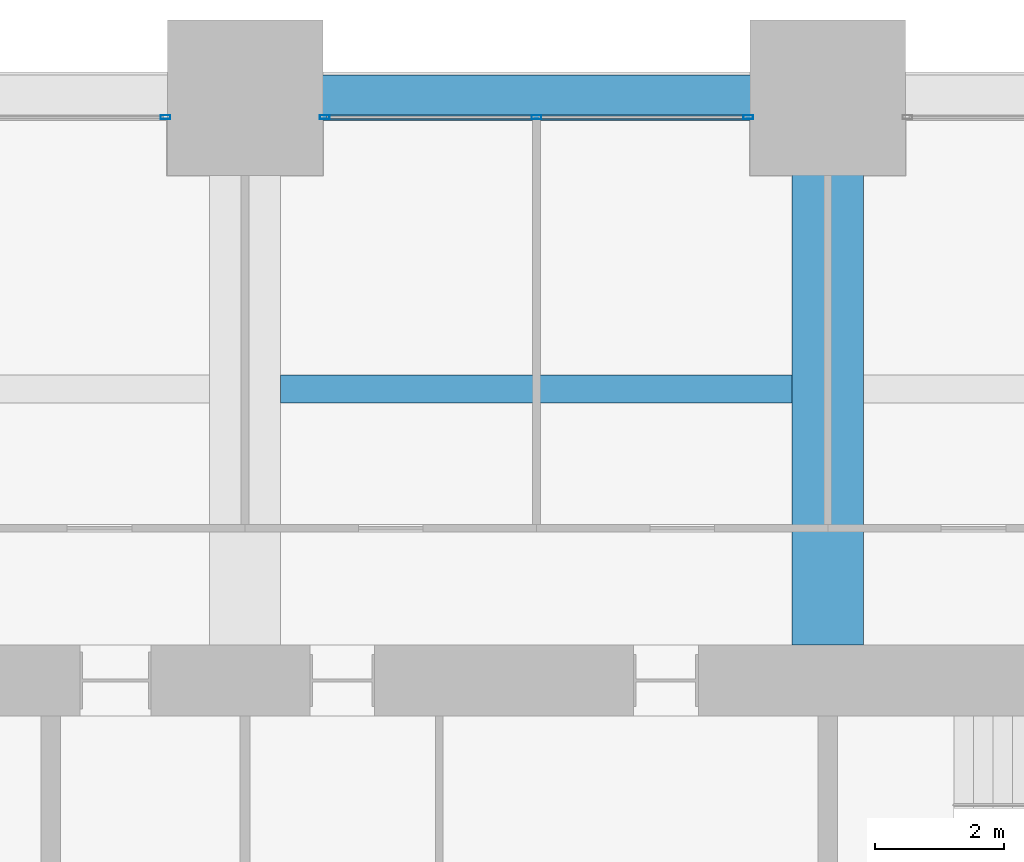
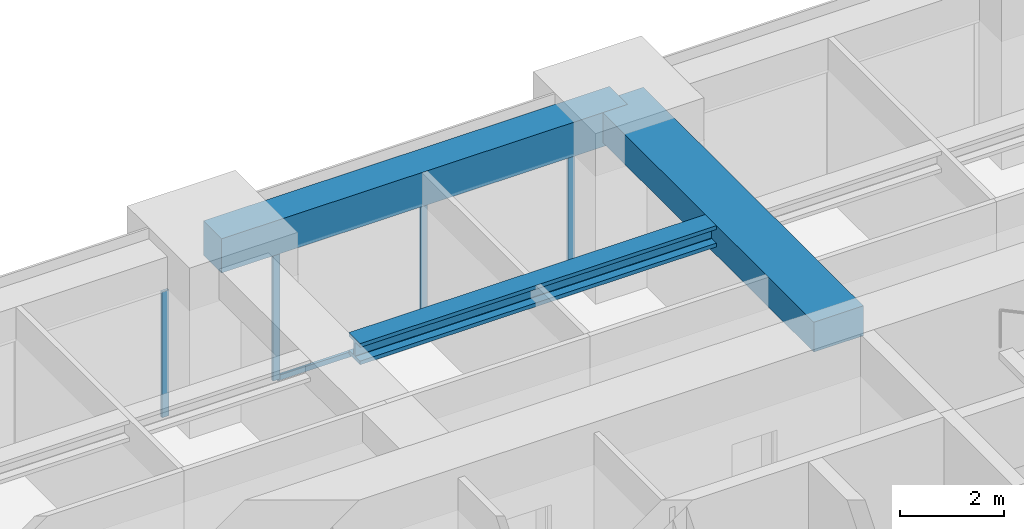
# One storey, part 29 of 40: 5 members, 3 beams, 2 elements without a shape of their own.
"""IFC4 building model written with IfcOpenShell, lengths in metres."""

from ifc_helpers import new_model, si_unit, direction, frame, origin, origin_2d, place, context, subcontext, project, spatial, rectangle, hollow_rectangle, i_section, extrude, material, material_profile, profile_set, type_object, element, aggregate, save


model = new_model("IFC4")

# Units and contexts
model_context = context("Model", 3, precision=1e-05, world=origin(), true_north=direction((0.0, 1.0)))
body_context = subcontext(model_context, "Body", "Model", "MODEL_VIEW")
ifc_project = project(units=[si_unit("LENGTHUNIT", "METRE"), si_unit("AREAUNIT", "SQUARE_METRE"), si_unit("VOLUMEUNIT", "CUBIC_METRE"), si_unit("PLANEANGLEUNIT", "RADIAN"), si_unit("MASSUNIT", "GRAM", prefix="KILO")], contexts=[model_context])

# Site, building, storey
site_placement = place(None, origin())
site = spatial("IfcSite", under=ifc_project, at=site_placement, CompositionType="ELEMENT")
building_placement = place(site_placement, origin())
building = spatial("IfcBuilding", under=site, at=building_placement, Name="Zorevar Civic Tower", CompositionType="ELEMENT")
storey_placement = place(building_placement, frame((0.0, 0.0, 93.0)))
storey = spatial("IfcBuildingStorey", under=building, at=storey_placement, Name="L22", CompositionType="ELEMENT", Elevation=93.0)

# Beam
ifc_material_1 = material(Name="Concrete C50/60", Category="concrete")
ifc_material_profile_1 = material_profile(ifc_material_1, rectangle(XDim=1.10009765625, YDim=0.699951171875, at=origin_2d()), Name="RC 1100x700")
ifc_profile_set_1 = profile_set([ifc_material_profile_1], Name="Concrete C50/60")
beam_type_1 = type_object("IfcBeamType", Name="Beam RC 1100x700", PredefinedType="BEAM", material=ifc_profile_set_1)
beam_1_placement = place(storey_placement, frame((36.0, 36.550048828125, 3.39990234375), z_axis=(0.0, 1.0, 0.0), x_axis=(-1.0, 0.0, 0.0)))
element("IfcBeam", 1, at=beam_1_placement, inside=storey, type_object=beam_type_1, Name="Girder L23", PredefinedType="BEAM", context=body_context, shape_type="SweptSolid", body=[
    extrude(rectangle(XDim=1.10009765625, YDim=0.699951171875, at=origin_2d()), origin(), (0.0, 0.0, 1.0), 8.449951171875),
])

# Curtain wall, member
ifc_material_2 = material(Name="Dark grey solar-control glass in black aluminium frame", Category="aluminium")
curtain_wall_type = type_object("IfcCurtainWallType", Name="Curtain wall CW3 mid zone", PredefinedType="NOTDEFINED", material=ifc_material_2)
curtain_wall_1_placement = place(storey_placement, origin())
curtain_wall_1 = element("IfcCurtainWall", 2, at=curtain_wall_1_placement, inside=storey, type_object=curtain_wall_type, Name="CW3 L22", PredefinedType="NOTDEFINED")
ifc_material_3 = material(Name="Aluminium, black anodised", Category="aluminium")
ifc_material_profile_2 = material_profile(ifc_material_3, hollow_rectangle(XDim=0.06005859375, YDim=0.14990234375, WallThickness=0.00390625, at=origin_2d()), Name="AL 150x60x4")
ifc_profile_set_2 = profile_set([ifc_material_profile_2], Name="Aluminium, black anodised")
member_type_1 = type_object("IfcMemberType", Name="CW3 mullion AL 150x60x4", PredefinedType="MULLION", material=ifc_profile_set_2)
member_1_placement = place(storey_placement, frame((25.77001953125, 44.699951171875, 0.0), z_axis=(0.0, 0.0, 1.0), x_axis=(0.0, 1.0, 0.0)))
member_1 = element("IfcMember", 3, at=member_1_placement, type_object=member_type_1, Name="CW3 mullion 3", PredefinedType="MULLION", context=body_context, shape_type="SweptSolid", body=[
    extrude(hollow_rectangle(XDim=0.06005859375, YDim=0.14990234375, WallThickness=0.00390625, at=origin_2d()), origin(), (0.0, 0.0, 1.0), 2.949951171875),
])
aggregate(curtain_wall_1, [member_1])

# Curtain wall, members
curtain_wall_2_placement = place(storey_placement, origin())
curtain_wall_2 = element("IfcCurtainWall", 4, at=curtain_wall_2_placement, inside=storey, type_object=curtain_wall_type, Name="CW3 L22", PredefinedType="NOTDEFINED")
member_2_placement = place(storey_placement, frame((28.22998046875, 44.699951171875, 0.0), z_axis=(0.0, 0.0, 1.0), x_axis=(0.0, 1.0, 0.0)))
member_2 = element("IfcMember", 5, at=member_2_placement, type_object=member_type_1, Name="CW3 mullion 1", PredefinedType="MULLION", context=body_context, shape_type="SweptSolid", body=[
    extrude(hollow_rectangle(XDim=0.06005859375, YDim=0.14990234375, WallThickness=0.00390625, at=origin_2d()), origin(), (0.0, 0.0, 1.0), 2.949951171875),
])
member_3_placement = place(storey_placement, frame((31.5, 44.699951171875, 0.06005859375), z_axis=(0.0, 0.0, 1.0), x_axis=(0.0, 1.0, 0.0)))
member_3 = element("IfcMember", 6, at=member_3_placement, type_object=member_type_1, Name="CW3 mullion 2", PredefinedType="MULLION", context=body_context, shape_type="SweptSolid", body=[
    extrude(hollow_rectangle(XDim=0.06005859375, YDim=0.14990234375, WallThickness=0.00390625, at=origin_2d()), origin(), (0.0, 0.0, 1.0), 2.889892578125),
])
member_4_placement = place(storey_placement, frame((34.77001953125, 44.699951171875, 0.0), z_axis=(0.0, 0.0, 1.0), x_axis=(0.0, 1.0, 0.0)))
member_4 = element("IfcMember", 7, at=member_4_placement, type_object=member_type_1, Name="CW3 mullion 3", PredefinedType="MULLION", context=body_context, shape_type="SweptSolid", body=[
    extrude(hollow_rectangle(XDim=0.06005859375, YDim=0.14990234375, WallThickness=0.00390625, at=origin_2d()), origin(), (0.0, 0.0, 1.0), 2.949951171875),
])
ifc_material_4 = material(Name="Aluminium, black anodised", Category="aluminium")
ifc_material_profile_3 = material_profile(ifc_material_4, hollow_rectangle(XDim=0.06005859375, YDim=0.1201171875, WallThickness=0.0029296875, at=origin_2d()), Name="AL 120x60x3")
ifc_profile_set_3 = profile_set([ifc_material_profile_3], Name="Aluminium, black anodised")
member_type_2 = type_object("IfcMemberType", Name="CW3 transom AL 120x60x3", PredefinedType="USERDEFINED", material=ifc_profile_set_3)
member_5_placement = place(storey_placement, frame((28.260009765625, 44.699951171875, 0.030029296875), z_axis=(1.0, 0.0, 0.0), x_axis=(0.0, 1.0, 0.0)))
member_5 = element("IfcMember", 8, at=member_5_placement, type_object=member_type_2, Name="CW3 sill transom", ObjectType="TRANSOM", PredefinedType="USERDEFINED", context=body_context, shape_type="SweptSolid", body=[
    extrude(hollow_rectangle(XDim=0.06005859375, YDim=0.1201171875, WallThickness=0.0029296875, at=origin_2d()), origin(), (0.0, 0.0, 1.0), 6.47998046875),
])
aggregate(curtain_wall_2, [member_2, member_3, member_4, member_5])

# Beams
ifc_material_5 = material(Name="Steel S460M (HISTAR 460)", Category="steel")
ifc_material_profile_4 = material_profile(ifc_material_5, i_section(OverallWidth=0.431884765625, OverallDepth=0.498046875, WebThickness=0.0556640625, FlangeThickness=0.0888671875, FilletRadius=0.014892578125, at=origin_2d()), Name="HD 400x744")
ifc_profile_set_4 = profile_set([ifc_material_profile_4], Name="Steel S460M (HISTAR 460)")
beam_type_2 = type_object("IfcBeamType", Name="Core bay beam HD 400x744", PredefinedType="BEAM", material=ifc_profile_set_4)
beam_2_placement = place(storey_placement, frame((27.550048828125, 40.5, 3.5009765625), z_axis=(1.0, 0.0, 0.0), x_axis=(0.0, 1.0, 0.0)))
element("IfcBeam", 9, at=beam_2_placement, inside=storey, type_object=beam_type_2, Name="Secondary beam L23", PredefinedType="BEAM", context=body_context, shape_type="SweptSolid", body=[
    extrude(i_section(OverallWidth=0.431884765625, OverallDepth=0.498046875, WebThickness=0.0556640625, FlangeThickness=0.0888671875, FilletRadius=0.014892578125, at=origin_2d()), origin(), (0.0, 0.0, 1.0), 7.89990234375),
])
ifc_material_6 = material(Name="Concrete C50/60", Category="concrete")
ifc_material_profile_5 = material_profile(ifc_material_6, rectangle(XDim=0.699951171875, YDim=0.800048828125, at=origin_2d()), Name="RC 700x800")
ifc_profile_set_5 = profile_set([ifc_material_profile_5], Name="Concrete C50/60")
beam_type_3 = type_object("IfcBeamType", Name="Edge beam RC 700x800", PredefinedType="SPANDREL", material=ifc_profile_set_5)
beam_3_placement = place(storey_placement, frame((27.0, 45.0, 3.35009765625), z_axis=(1.0, 0.0, 0.0), x_axis=(0.0, 1.0, 0.0)))
element("IfcBeam", 10, at=beam_3_placement, inside=storey, type_object=beam_type_3, Name="Edge beam L23", PredefinedType="SPANDREL", context=body_context, shape_type="SweptSolid", body=[
    extrude(rectangle(XDim=0.699951171875, YDim=0.800048828125, at=origin_2d()), origin(), (0.0, 0.0, 1.0), 9.0),
])

save(model, "model.ifc")
